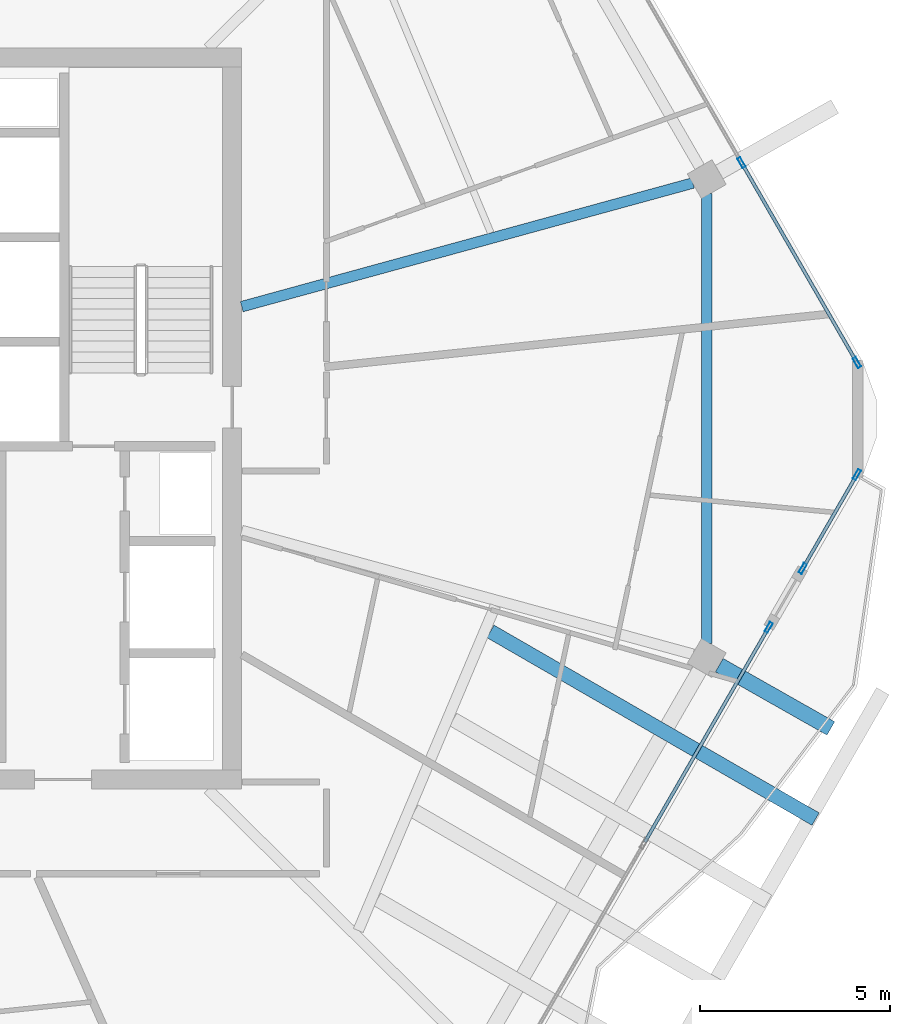
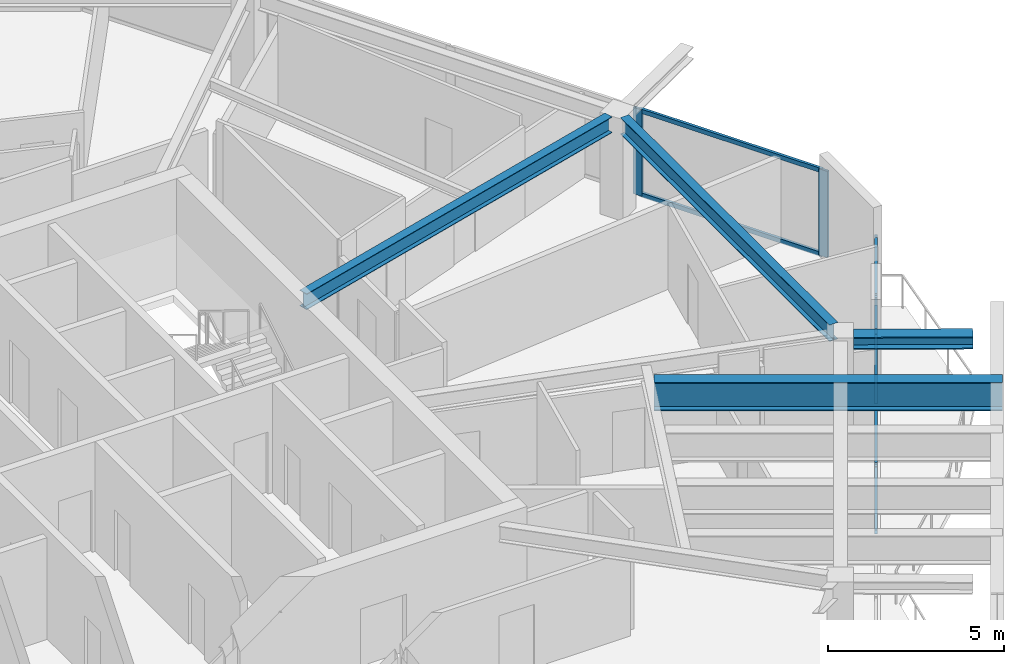
# One storey, part 7 of 23: 11 members, 4 beams, 3 elements without a shape of their own.
"""IFC4 building model written with IfcOpenShell, lengths in metres."""

from ifc_helpers import new_model, si_unit, direction, frame, origin, origin_2d, place, context, subcontext, project, spatial, hollow_rectangle, i_section, extrude, material, material_profile, profile_set, type_object, element, aggregate, save


model = new_model("IFC4")

# Units and contexts
model_context = context("Model", 3, precision=1e-05, world=origin(), true_north=direction((0.0, 1.0)))
body_context = subcontext(model_context, "Body", "Model", "MODEL_VIEW")
ifc_project = project(units=[si_unit("LENGTHUNIT", "METRE"), si_unit("AREAUNIT", "SQUARE_METRE"), si_unit("VOLUMEUNIT", "CUBIC_METRE"), si_unit("PLANEANGLEUNIT", "RADIAN"), si_unit("MASSUNIT", "GRAM", prefix="KILO")], contexts=[model_context])

# Site, building, storey
site_placement = place(None, origin())
site = spatial("IfcSite", under=ifc_project, at=site_placement, CompositionType="ELEMENT")
building_placement = place(site_placement, origin())
building = spatial("IfcBuilding", under=site, at=building_placement, Name="Zuhravey Tower", CompositionType="ELEMENT")
storey_placement = place(building_placement, frame((0.0, 0.0, 350.0)))
storey = spatial("IfcBuildingStorey", under=building, at=storey_placement, Name="L89", CompositionType="ELEMENT", Elevation=350.0)

# Curtain wall, members
ifc_material_1 = material(Name="Thermally broken anodised aluminium", Category="aluminium")
curtain_wall_type = type_object("IfcCurtainWallType", Name="Zone 3-4 High-Rise Curtain Wall CW4", PredefinedType="NOTDEFINED", material=ifc_material_1)
curtain_wall_1_placement = place(storey_placement, origin())
curtain_wall_1 = element("IfcCurtainWall", 1, at=curtain_wall_1_placement, inside=storey, type_object=curtain_wall_type, Name="L89 CW4 CW-L89-F6-1", PredefinedType="NOTDEFINED")
ifc_material_2 = material(Name="Anodised aluminium", Category="aluminium")
ifc_material_profile_1 = material_profile(ifc_material_2, hollow_rectangle(XDim=0.090087890625, YDim=0.284912109375, WallThickness=0.0048828125, at=origin_2d()), Name="ALU-RHS-90x285x5")
ifc_profile_set_1 = profile_set([ifc_material_profile_1], Name="Anodised aluminium")
member_type_1 = type_object("IfcMemberType", Name="Curtain-Wall Mullion 90x180", PredefinedType="MULLION", material=ifc_profile_set_1)
member_1_placement = place(storey_placement, frame((62.94580078125, 30.5234375, 0.0), z_axis=(0.0, 0.0, 1.0), x_axis=(0.866033266333, -0.499986381419, 0.0)))
member_1 = element("IfcMember", 2, at=member_1_placement, type_object=member_type_1, Name="CW4 mullion 1", PredefinedType="MULLION", context=body_context, shape_type="SweptSolid", body=[
    extrude(hollow_rectangle(XDim=0.090087890625, YDim=0.284912109375, WallThickness=0.0048828125, at=origin_2d()), origin(), (0.0, 0.0, 1.0), 2.419921875),
])
member_2_placement = place(storey_placement, frame((61.5205078125, 28.0546875, 0.0), z_axis=(0.0, 0.0, 1.0), x_axis=(0.866033266333, -0.499986381419, 0.0)))
member_2 = element("IfcMember", 3, at=member_2_placement, type_object=member_type_1, Name="CW4 mullion 2", PredefinedType="MULLION", context=body_context, shape_type="SweptSolid", body=[
    extrude(hollow_rectangle(XDim=0.090087890625, YDim=0.284912109375, WallThickness=0.0048828125, at=origin_2d()), origin(), (0.0, 0.0, 1.0), 2.419921875),
])

# Curtain wall, member
curtain_wall_2_placement = place(storey_placement, origin())
curtain_wall_2 = element("IfcCurtainWall", 4, at=curtain_wall_2_placement, inside=storey, type_object=curtain_wall_type, Name="L89 CW4 CW-L89-F6-2", PredefinedType="NOTDEFINED")
member_3_placement = place(storey_placement, frame((60.62548828125, 26.50439453125, 0.0), z_axis=(0.0, 0.0, 1.0), x_axis=(0.86602491538, -0.500000845941, 0.0)))
member_3 = element("IfcMember", 5, at=member_3_placement, type_object=member_type_1, Name="CW4 mullion 1", PredefinedType="MULLION", context=body_context, shape_type="SweptSolid", body=[
    extrude(hollow_rectangle(XDim=0.090087890625, YDim=0.284912109375, WallThickness=0.0048828125, at=origin_2d()), origin(), (0.0, 0.0, 1.0), 2.419921875),
])

# Curtain wall, members
curtain_wall_3_placement = place(storey_placement, origin())
curtain_wall_3 = element("IfcCurtainWall", 6, at=curtain_wall_3_placement, inside=storey, type_object=curtain_wall_type, Name="L89 CW4 CW-L89-F1-1", PredefinedType="NOTDEFINED")
member_4_placement = place(storey_placement, frame((59.90869140625, 38.7373046875, 0.0), z_axis=(0.0, 0.0, 1.0), x_axis=(0.866025511541, 0.49999981336, 0.0)))
member_4 = element("IfcMember", 7, at=member_4_placement, type_object=member_type_1, Name="CW4 mullion 4", PredefinedType="MULLION", context=body_context, shape_type="SweptSolid", body=[
    extrude(hollow_rectangle(XDim=0.090087890625, YDim=0.284912109375, WallThickness=0.0048828125, at=origin_2d()), origin(), (0.0, 0.0, 1.0), 2.987060546875),
])
member_5_placement = place(storey_placement, frame((62.94580078125, 33.4765625, 0.0), z_axis=(0.0, 0.0, 1.0), x_axis=(0.866025511541, 0.49999981336, 0.0)))
member_5 = element("IfcMember", 8, at=member_5_placement, type_object=member_type_1, Name="CW4 mullion 5", PredefinedType="MULLION", context=body_context, shape_type="SweptSolid", body=[
    extrude(hollow_rectangle(XDim=0.090087890625, YDim=0.284912109375, WallThickness=0.0048828125, at=origin_2d()), origin(), (0.0, 0.0, 1.0), 2.987060546875),
])

# Member
ifc_material_profile_2 = material_profile(ifc_material_2, hollow_rectangle(XDim=0.090087890625, YDim=0.14990234375, WallThickness=0.0048828125, at=origin_2d()), Name="ALU-RHS-90x150x5")
ifc_profile_set_2 = profile_set([ifc_material_profile_2], Name="Anodised aluminium")
member_type_2 = type_object("IfcMemberType", Name="Curtain-Wall Transom 90x150", PredefinedType="USERDEFINED", material=ifc_profile_set_2)
member_6_placement = place(storey_placement, frame((62.92333984375, 30.484619140625, 0.044921875), z_axis=(-0.499962294346, -0.86604717206, 0.0), x_axis=(0.86604717206, -0.499962294346, 0.0)))
member_6 = element("IfcMember", 9, at=member_6_placement, type_object=member_type_2, Name="CW4 transom 1.1", ObjectType="TRANSOM", PredefinedType="USERDEFINED", context=body_context, shape_type="SweptSolid", body=[
    extrude(hollow_rectangle(XDim=0.090087890625, YDim=0.14990234375, WallThickness=0.0048828125, at=origin_2d()), origin(), (0.0, 0.0, 1.0), 2.760986328125),
])

member_7_placement = place(storey_placement, frame((62.92333984375, 30.484619140625, 2.375), z_axis=(-0.499962294346, -0.86604717206, 0.0), x_axis=(0.86604717206, -0.499962294346, 0.0)))
member_7 = element("IfcMember", 10, at=member_7_placement, type_object=member_type_2, Name="CW4 transom 1.2", ObjectType="TRANSOM", PredefinedType="USERDEFINED", context=body_context, shape_type="SweptSolid", body=[
    extrude(hollow_rectangle(XDim=0.090087890625, YDim=0.14990234375, WallThickness=0.0048828125, at=origin_2d()), origin(), (0.0, 0.0, 1.0), 2.760986328125),
])

aggregate(curtain_wall_1, [member_1, member_2, member_6, member_7])

member_8_placement = place(storey_placement, frame((60.60302734375, 26.465576171875, 0.044921875), z_axis=(-0.499989979661, -0.866031188953, 0.0), x_axis=(0.866031188953, -0.499989979661, 0.0)))
member_8 = element("IfcMember", 11, at=member_8_placement, type_object=member_type_2, Name="CW4 transom 1.1", ObjectType="TRANSOM", PredefinedType="USERDEFINED", context=body_context, shape_type="SweptSolid", body=[
    extrude(hollow_rectangle(XDim=0.090087890625, YDim=0.14990234375, WallThickness=0.0048828125, at=origin_2d()), origin(), (0.0, 0.0, 1.0), 6.477783203125),
])

member_9_placement = place(storey_placement, frame((60.60302734375, 26.465576171875, 2.375), z_axis=(-0.499989979661, -0.866031188953, 0.0), x_axis=(0.866031188953, -0.499989979661, 0.0)))
member_9 = element("IfcMember", 12, at=member_9_placement, type_object=member_type_2, Name="CW4 transom 1.2", ObjectType="TRANSOM", PredefinedType="USERDEFINED", context=body_context, shape_type="SweptSolid", body=[
    extrude(hollow_rectangle(XDim=0.090087890625, YDim=0.14990234375, WallThickness=0.0048828125, at=origin_2d()), origin(), (0.0, 0.0, 1.0), 6.477783203125),
])

aggregate(curtain_wall_2, [member_3, member_8, member_9])

member_10_placement = place(storey_placement, frame((59.93115234375, 38.6982421875, 0.044921875), z_axis=(0.499982594807, -0.866035452444, 0.0), x_axis=(0.866035452444, 0.499982594807, 0.0)))
member_10 = element("IfcMember", 13, at=member_10_placement, type_object=member_type_2, Name="CW4 transom 4.1", ObjectType="TRANSOM", PredefinedType="USERDEFINED", context=body_context, shape_type="SweptSolid", body=[
    extrude(hollow_rectangle(XDim=0.090087890625, YDim=0.14990234375, WallThickness=0.0048828125, at=origin_2d()), origin(), (0.0, 0.0, 1.0), 5.984619140625),
])

member_11_placement = place(storey_placement, frame((59.93115234375, 38.6982421875, 2.94189453125), z_axis=(0.499982594807, -0.866035452444, 0.0), x_axis=(0.866035452444, 0.499982594807, 0.0)))
member_11 = element("IfcMember", 14, at=member_11_placement, type_object=member_type_2, Name="CW4 transom 4.2", ObjectType="TRANSOM", PredefinedType="USERDEFINED", context=body_context, shape_type="SweptSolid", body=[
    extrude(hollow_rectangle(XDim=0.090087890625, YDim=0.14990234375, WallThickness=0.0048828125, at=origin_2d()), origin(), (0.0, 0.0, 1.0), 5.984619140625),
])

aggregate(curtain_wall_3, [member_4, member_5, member_10, member_11])

# Beams
ifc_material_3 = material(Name="Steel SM460", Category="steel")
ifc_material_profile_3 = material_profile(ifc_material_3, i_section(OverallWidth=0.406982421875, OverallDepth=0.427978515625, WebThickness=0.02001953125, FlangeThickness=0.034912109375, at=origin_2d()), Name="H-428x407x20x35")
ifc_profile_set_3 = profile_set([ifc_material_profile_3], Name="Steel SM460")
beam_type_1 = type_object("IfcBeamType", Name="Exoskeleton Node Tie Beam H428x407", PredefinedType="BEAM", material=ifc_profile_set_3)
beam_1_placement = place(storey_placement, frame((59.322998046875, 25.510498046875, 3.200927734375), z_axis=(0.86983187014, -0.493348272206, 0.0), x_axis=(0.493348272206, 0.86983187014, 0.0)))
element("IfcBeam", 15, at=beam_1_placement, inside=storey, type_object=beam_type_1, Name="L89 Exoskeleton Node Tie NT1-12", PredefinedType="BEAM", context=body_context, shape_type="SweptSolid", body=[
    extrude(i_section(OverallWidth=0.406982421875, OverallDepth=0.427978515625, WebThickness=0.02001953125, FlangeThickness=0.034912109375, at=origin_2d()), origin(), (0.0, 0.0, 1.0), 3.3759765625),
])
ifc_material_4 = material(Name="Steel SM355", Category="steel")
ifc_material_profile_4 = material_profile(ifc_material_4, i_section(OverallWidth=0.280029296875, OverallDepth=0.580078125, WebThickness=0.011962890625, FlangeThickness=0.01904296875, at=origin_2d()), Name="H-580x280x12x19")
ifc_profile_set_4 = profile_set([ifc_material_profile_4], Name="Steel SM355")
beam_type_2 = type_object("IfcBeamType", Name="Perimeter Ring Beam H580x280", PredefinedType="BEAM", material=ifc_profile_set_4)
beam_2_placement = place(storey_placement, frame((58.993408203125, 26.07568359375, 3.22998046875), z_axis=(0.0, 1.0, 0.0), x_axis=(-1.0, 0.0, 0.0)))
element("IfcBeam", 16, at=beam_2_placement, inside=storey, type_object=beam_type_2, Name="L89 PB4 BM-L89-PB-12", PredefinedType="BEAM", context=body_context, shape_type="SweptSolid", body=[
    extrude(i_section(OverallWidth=0.280029296875, OverallDepth=0.580078125, WebThickness=0.011962890625, FlangeThickness=0.01904296875, at=origin_2d()), origin(), (0.0, 0.0, 1.0), 11.8486328125),
])
ifc_material_profile_5 = material_profile(ifc_material_4, i_section(OverallWidth=0.280029296875, OverallDepth=0.550048828125, WebThickness=0.010986328125, FlangeThickness=0.01806640625, at=origin_2d()), Name="H-550x280x11x18")
ifc_profile_set_5 = profile_set([ifc_material_profile_5], Name="Steel SM355")
beam_type_3 = type_object("IfcBeamType", Name="Radial Primary Girder H550x280", PredefinedType="BEAM", material=ifc_profile_set_5)
beam_3_placement = place(storey_placement, frame((46.7529296875, 34.947265625, 3.2451171875), z_axis=(0.964428588077, 0.264343523658, 0.0), x_axis=(-0.264343523658, 0.964428588077, 0.0)))
element("IfcBeam", 17, at=beam_3_placement, inside=storey, type_object=beam_type_3, Name="L89 RG4 BM-L89-RAD-01", PredefinedType="BEAM", context=body_context, shape_type="SweptSolid", body=[
    extrude(i_section(OverallWidth=0.280029296875, OverallDepth=0.550048828125, WebThickness=0.010986328125, FlangeThickness=0.01806640625, at=origin_2d()), origin(), (0.0, 0.0, 1.0), 12.31396484375),
])
ifc_material_profile_6 = material_profile(ifc_material_3, i_section(OverallWidth=0.3798828125, OverallDepth=1.0, WebThickness=0.02001953125, FlangeThickness=0.035888671875, at=origin_2d()), Name="H-1000x380x20x36")
ifc_profile_set_6 = profile_set([ifc_material_profile_6], Name="Steel SM460")
beam_type_4 = type_object("IfcBeamType", Name="Sky-Pool Saddle Girder H1000x380", PredefinedType="BEAM", material=ifc_profile_set_6)
beam_4_placement = place(storey_placement, frame((53.30029296875, 26.3994140625, 2.919921875), z_axis=(0.866028416827, -0.49999478122, 0.0), x_axis=(0.49999478122, 0.866028416827, 0.0)))
element("IfcBeam", 18, at=beam_4_placement, inside=storey, type_object=beam_type_4, Name="L89 Sky-Pool Saddle Girder SPG1-04", PredefinedType="BEAM", context=body_context, shape_type="SweptSolid", body=[
    extrude(i_section(OverallWidth=0.3798828125, OverallDepth=1.0, WebThickness=0.02001953125, FlangeThickness=0.035888671875, at=origin_2d()), origin(), (0.0, 0.0, 1.0), 9.88134765625),
])

save(model, "model.ifc")
